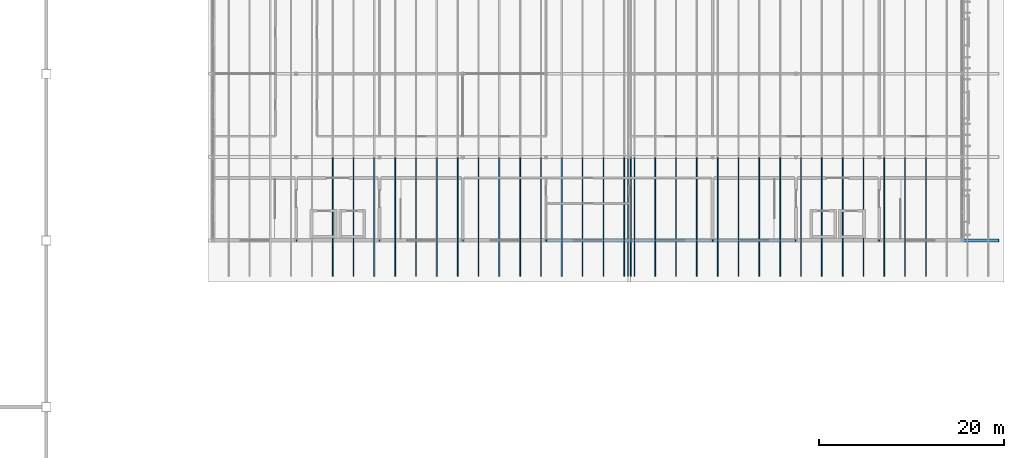
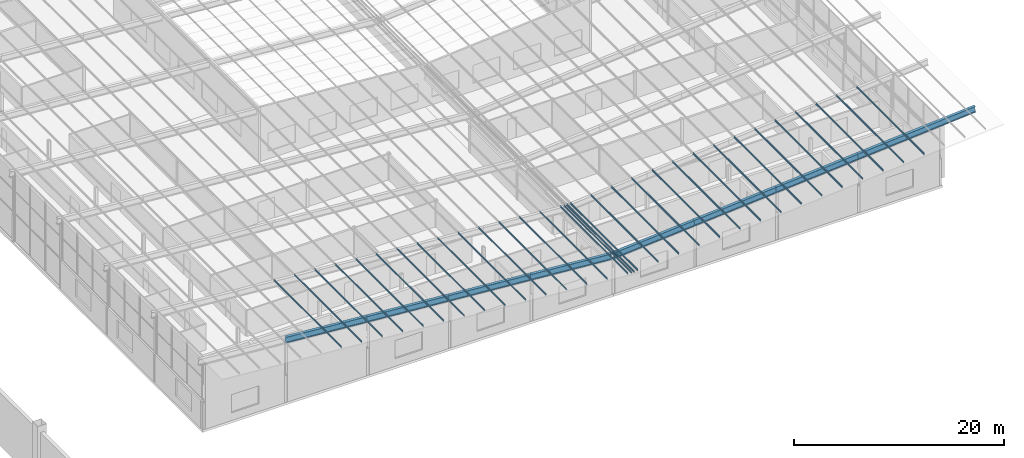
# One storey, part 23 of 85: 40 members.
"""IFC4 building model written with IfcOpenShell, lengths in metres."""

import ifcopenshell
import ifcopenshell.guid

model = None  # the IFC model being written
_history = None  # IfcOwnerHistory: only IFC2X3 demands one
_inside = {}  # id of a spatial element -> (the spatial element, [elements in it])
_under = {}  # id of a project, library or spatial element -> (it, [spatial elements below it])
_declared = {}  # id of a project -> (the project, [libraries it declares])
_typed = {}  # id of a type object -> (the type object, [elements of that type])
_made_of = {}  # id of a material, layer set ... -> (it, [elements and type objects made of it])


def new_model(schema):
    """Start an empty IFC model of exactly this schema.

    Asked for "IFC4X3", IfcOpenShell would pick the latest addendum, in which some entities
    have other attributes; the version numbers below select the first issue.
    IFC2X3 requires an IfcOwnerHistory on every rooted entity: one is made here for all.
    """
    global model, _history
    if schema == "IFC4X3":
        model = ifcopenshell.file(schema_version=(4, 3, 0, 0))
    else:
        model = ifcopenshell.file(schema=schema)
    _inside.clear()
    _under.clear()
    _declared.clear()
    _typed.clear()
    _made_of.clear()
    _history = None
    if model.schema == "IFC2X3":
        org = make("IfcOrganization", Name="unknown")
        user = make(
            "IfcPersonAndOrganization",
            ThePerson=make("IfcPerson", FamilyName="unknown"),
            TheOrganization=org,
        )
        app = make(
            "IfcApplication",
            ApplicationDeveloper=org,
            Version="unknown",
            ApplicationFullName="unknown",
            ApplicationIdentifier="unknown",
        )
        _history = make(
            "IfcOwnerHistory",
            OwningUser=user,
            OwningApplication=app,
            ChangeAction="ADDED",
            CreationDate=0,
        )
    return model


def make(cls, **values):
    """One entity of the class cls with the attributes given. An attribute that is None is left unset."""
    return model.create_entity(
        cls, **{name: value for name, value in values.items() if value is not None}
    )


def rooted(cls, **values):
    """An entity with a GlobalId (a new one), such as an element, a storey or a relation."""
    return make(cls, GlobalId=ifcopenshell.guid.new(), OwnerHistory=_history, **values)


def si_unit(unit_type, name, prefix=None):
    """IfcSIUnit, for example si_unit("LENGTHUNIT", "METRE", prefix="MILLI")."""
    return make("IfcSIUnit", UnitType=unit_type, Prefix=prefix, Name=name)


def assignment(units):
    """IfcUnitAssignment: the units of a project."""
    return None if units is None else make("IfcUnitAssignment", Units=units)


def point(xyz):
    """IfcCartesianPoint."""
    return None if xyz is None else make("IfcCartesianPoint", Coordinates=xyz)


def direction(xyz):
    """IfcDirection."""
    return None if xyz is None else make("IfcDirection", DirectionRatios=xyz)


def frame(location, z_axis=None, x_axis=None):
    """IfcAxis2Placement3D, a coordinate frame: its origin and axes. An axis left out is left unset."""
    return make(
        "IfcAxis2Placement3D",
        Location=point(location),
        Axis=direction(z_axis),
        RefDirection=direction(x_axis),
    )


def frame_2d(location, x_axis=None):
    """IfcAxis2Placement2D, a coordinate frame in the plane: its origin and x axis."""
    return make(
        "IfcAxis2Placement2D", Location=point(location), RefDirection=direction(x_axis)
    )


def origin():
    """The frame at (0, 0, 0) with its axes left unset."""
    return frame((0.0, 0.0, 0.0))


def origin_2d():
    """The frame at (0, 0) in the plane with its x axis left unset."""
    return frame_2d((0.0, 0.0))


def place(relative_to, where):
    """IfcLocalPlacement: puts the frame where relative to a parent placement (None: the world)."""
    return make(
        "IfcLocalPlacement", PlacementRelTo=relative_to, RelativePlacement=where
    )


def context(
    kind, dimensions, precision=None, world=None, true_north=None, identifier=None
):
    """IfcGeometricRepresentationContext, for example the 3D "Model" context."""
    return make(
        "IfcGeometricRepresentationContext",
        ContextIdentifier=identifier,
        ContextType=kind,
        CoordinateSpaceDimension=dimensions,
        Precision=precision,
        WorldCoordinateSystem=world,
        TrueNorth=true_north,
    )


def subcontext(parent, identifier, kind, view, scale=None):
    """IfcGeometricRepresentationSubContext, for example "Body" below "Model"."""
    return make(
        "IfcGeometricRepresentationSubContext",
        ContextIdentifier=identifier,
        ContextType=kind,
        ParentContext=parent,
        TargetScale=scale,
        TargetView=view,
    )


def project(units=None, contexts=None):
    """IfcProject with its units and contexts."""
    return rooted(
        "IfcProject",
        Name="project",
        RepresentationContexts=contexts,
        UnitsInContext=assignment(units),
    )


def spatial(cls, under=None, at=None, **own):
    """A site, building, storey or space (cls), placed at a placement, below another one or the project."""
    s = rooted(cls, ObjectPlacement=at, **own)
    if under is not None:
        _under.setdefault(under.id(), (under, []))[1].append(s)
    return s


def polyline(points):
    """IfcPolyline through the points."""
    return make("IfcPolyline", Points=[point(p) for p in points])


def profile(cls, at=None, kind="AREA", **sizes):
    """A parametric profile (cls). Its sizes go by their IFC names, for example OverallWidth=200.0."""
    return make(cls, ProfileType=kind, Position=at, **sizes)


def i_section(**sizes):
    """IfcIShapeProfileDef."""
    return profile("IfcIShapeProfileDef", **sizes)


def outline(outer, holes=None, kind="AREA"):
    """IfcArbitraryClosedProfileDef: a profile drawn as a closed curve; with holes, ...WithVoids."""
    if holes is None:
        return make("IfcArbitraryClosedProfileDef", ProfileType=kind, OuterCurve=outer)
    return make(
        "IfcArbitraryProfileDefWithVoids",
        ProfileType=kind,
        OuterCurve=outer,
        InnerCurves=holes,
    )


def extrude(swept, where, along, depth):
    """IfcExtrudedAreaSolid: the profile swept, set in the frame where, extruded along a direction by depth."""
    return make(
        "IfcExtrudedAreaSolid",
        SweptArea=swept,
        Position=where,
        ExtrudedDirection=direction(along),
        Depth=depth,
    )


def shape(context_of_items, identifier, shape_type, items):
    """IfcShapeRepresentation: the items that make up one representation, for example the "Body"."""
    return make(
        "IfcShapeRepresentation",
        ContextOfItems=context_of_items,
        RepresentationIdentifier=identifier,
        RepresentationType=shape_type,
        Items=items,
    )


def material(Name=None, Category=None):
    """IfcMaterial."""
    return make("IfcMaterial", Name=Name, Category=Category)


def material_profile(
    of_material, cross_section, Name=None, Category=None, Priority=None
):
    """IfcMaterialProfile: a cross section and its material."""
    return make(
        "IfcMaterialProfile",
        Name=Name,
        Material=of_material,
        Profile=cross_section,
        Priority=Priority,
        Category=Category,
    )


def profile_set(profiles, Name=None, composite=None):
    """IfcMaterialProfileSet."""
    return make(
        "IfcMaterialProfileSet",
        Name=Name,
        MaterialProfiles=profiles,
        CompositeProfile=composite,
    )


def made_of(thing, what):
    """Note that an element or type object is made of a material, layer set ...; save() writes the relation."""
    if what is not None:
        _made_of.setdefault(what.id(), (what, []))[1].append(thing)
    return thing


def type_object(cls, material=None, **own):
    """A type object (cls), such as IfcWallType, which elements share."""
    return made_of(rooted(cls, **own), material)


def element(
    cls,
    number,
    at=None,
    inside=None,
    cuts=None,
    type_object=None,
    material=None,
    context=None,
    identifier="Body",
    shape_type=None,
    held_by="IfcProductDefinitionShape",
    body=None,
    shapes=None,
    **own,
):
    """One element of the class cls, such as IfcWall. Its Tag is "e" and its number.

    at: its placement. inside: the storey or other place that contains it. cuts: it is an
    opening in that element (IfcRelVoidsElement). A single representation is given by context,
    identifier, shape_type and body (its items); several are given by shapes. held_by: the class
    of the entity that holds the representations. save() writes the other relations.
    """
    e = rooted(cls, Tag="e%d" % number, ObjectPlacement=at, **own)
    if body is not None:
        shapes = [shape(context, identifier, shape_type, body)]
    if shapes is not None:
        e.Representation = make(held_by, Representations=shapes)
    if inside is not None:
        _inside.setdefault(inside.id(), (inside, []))[1].append(e)
    if cuts is not None:
        rooted(
            "IfcRelVoidsElement", RelatingBuildingElement=cuts, RelatedOpeningElement=e
        )
    if type_object is not None:
        _typed.setdefault(type_object.id(), (type_object, []))[1].append(e)
    return made_of(e, material)


def aggregate(whole, parts):
    """IfcRelAggregates: a whole, such as a stair, and the parts it consists of."""
    return rooted("IfcRelAggregates", RelatingObject=whole, RelatedObjects=parts)


def save(model, path):
    """Write the relations noted so far, then the file.

    IfcRelAggregates (storeys below a building ...), IfcRelContainedInSpatialStructure (elements
    in a storey), IfcRelDefinesByType, IfcRelAssociatesMaterial and IfcRelDeclares: one each for
    every whole, place, type object, material and project.
    """
    for whole, parts in _under.values():
        aggregate(whole, parts)
    for where, things in _inside.values():
        rooted(
            "IfcRelContainedInSpatialStructure",
            RelatedElements=things,
            RelatingStructure=where,
        )
    for kind, things in _typed.values():
        rooted("IfcRelDefinesByType", RelatedObjects=things, RelatingType=kind)
    for what, things in _made_of.values():
        rooted("IfcRelAssociatesMaterial", RelatedObjects=things, RelatingMaterial=what)
    for by, libraries in _declared.values():
        rooted("IfcRelDeclares", RelatingContext=by, RelatedDefinitions=libraries)
    model.write(path)


model = new_model("IFC4")

# Units and contexts
model_context = context("Model", 3, precision=1e-05, world=origin(), true_north=direction((0.0, 1.0)))
body_context = subcontext(model_context, "Body", "Model", "MODEL_VIEW")
ifc_project = project(units=[si_unit("LENGTHUNIT", "METRE"), si_unit("AREAUNIT", "SQUARE_METRE"), si_unit("VOLUMEUNIT", "CUBIC_METRE"), si_unit("PLANEANGLEUNIT", "RADIAN"), si_unit("MASSUNIT", "GRAM", prefix="KILO")], contexts=[model_context])

# Site, building, storey
site_placement = place(None, origin())
site = spatial("IfcSite", under=ifc_project, at=site_placement, CompositionType="ELEMENT")
building_placement = place(site_placement, origin())
building = spatial("IfcBuilding", under=site, at=building_placement, Name="Opaline Strait Convention Centre", CompositionType="ELEMENT")
storey_placement = place(building_placement, frame((0.0, 0.0, 17.0)))
storey = spatial("IfcBuildingStorey", under=building, at=storey_placement, Name="L03", CompositionType="ELEMENT", Elevation=17.0)

# Members
ifc_material = material(Name="Steel Q355B", Category="steel")
ifc_material_profile_1 = material_profile(ifc_material, outline(polyline([(-0.034912109375, -0.10009765625), (0.034912109375, -0.10009765625), (0.034912109375, -0.080078125), (0.032470703125, -0.080078125), (0.032470703125, -0.097412109375), (-0.032470703125, -0.097412109375), (-0.032470703125, 0.097412109375), (0.032470703125, 0.097412109375), (0.032470703125, 0.080078125), (0.034912109375, 0.080078125), (0.034912109375, 0.10009765625), (-0.034912109375, 0.10009765625), (-0.034912109375, -0.10009765625)])), Name="C 200x70x20x2.5")
ifc_profile_set_1 = profile_set([ifc_material_profile_1], Name="Steel Q355B")
member_type_1 = type_object("IfcMemberType", Name="Roof purlin C 200x70x20x2.5", PredefinedType="PURLIN", material=ifc_profile_set_1)
for number, where, z_axis, x_axis, name in (
    (1, (323.85009765625, 86.10009765625, 4.814208984375), (0.0, 1.0, 0.0), (-0.996917333733, 0.0, -0.078459095728), "MRP1 purlin W wing 1"),
    (2, (323.449951171875, 86.10009765625, 4.845703125), (0.0, 1.0, 0.0), (-0.996917333733, 0.0, -0.078459095728), "MRP1 purlin W wing 11"),
    (3, (321.199951171875, 86.10009765625, 5.02294921875), (0.0, 1.0, 0.0), (-0.996917333733, 0.0, -0.078459095728), "MRP1 purlin W wing 21"),
    (4, (318.949951171875, 86.10009765625, 5.199951171875), (0.0, 1.0, 0.0), (-0.996917333733, 0.0, -0.078459095728), "MRP1 purlin W wing 31"),
    (5, (316.699951171875, 86.10009765625, 5.376953125), (0.0, 1.0, 0.0), (-0.996917333733, 0.0, -0.078459095728), "MRP1 purlin W wing 41"),
    (6, (314.449951171875, 86.10009765625, 5.553955078125), (0.0, 1.0, 0.0), (-0.996917333733, 0.0, -0.078459095728), "MRP1 purlin W wing 51"),
    (7, (312.199951171875, 86.10009765625, 5.731201171875), (0.0, 1.0, 0.0), (-0.996917333733, 0.0, -0.078459095728), "MRP1 purlin W wing 61"),
    (8, (309.949951171875, 86.10009765625, 5.908203125), (0.0, 1.0, 0.0), (-0.996917333733, 0.0, -0.078459095728), "MRP1 purlin W wing 71"),
    (9, (307.699951171875, 86.10009765625, 6.085205078125), (0.0, 1.0, 0.0), (-0.996917333733, 0.0, -0.078459095728), "MRP1 purlin W wing 81"),
    (10, (305.449951171875, 86.10009765625, 6.262451171875), (0.0, 1.0, 0.0), (-0.996917333733, 0.0, -0.078459095728), "MRP1 purlin W wing 91"),
    (11, (303.199951171875, 86.10009765625, 6.439453125), (0.0, 1.0, 0.0), (-0.996917333733, 0.0, -0.078459095728), "MRP1 purlin W wing 101"),
    (12, (300.949951171875, 86.10009765625, 6.616455078125), (0.0, 1.0, 0.0), (-0.996917333733, 0.0, -0.078459095728), "MRP1 purlin W wing 111"),
    (13, (298.699951171875, 86.10009765625, 6.793701171875), (0.0, 1.0, 0.0), (-0.996917333733, 0.0, -0.078459095728), "MRP1 purlin W wing 121"),
    (14, (296.449951171875, 86.10009765625, 6.970703125), (0.0, 1.0, 0.0), (-0.996917333733, 0.0, -0.078459095728), "MRP1 purlin W wing 131"),
    (15, (294.199951171875, 86.10009765625, 7.147705078125), (0.0, 1.0, 0.0), (-0.996917333733, 0.0, -0.078459095728), "MRP1 purlin W wing 141"),
    (16, (291.949951171875, 86.10009765625, 7.324951171875), (0.0, 1.0, 0.0), (-0.996917333733, 0.0, -0.078459095728), "MRP1 purlin W wing 151"),
    (17, (324.14990234375, 86.10009765625, 4.814208984375), (0.0, 1.0, 0.0), (-0.996917333733, 0.0, 0.078459095728), "MRP1 purlin E wing 211"),
    (18, (324.550048828125, 86.10009765625, 4.845703125), (0.0, 1.0, 0.0), (-0.996917333733, 0.0, 0.078459095728), "MRP1 purlin E wing 221"),
    (19, (326.800048828125, 86.10009765625, 5.02294921875), (0.0, 1.0, 0.0), (-0.996917333733, 0.0, 0.078459095728), "MRP1 purlin E wing 231"),
    (20, (329.050048828125, 86.10009765625, 5.199951171875), (0.0, 1.0, 0.0), (-0.996917333733, 0.0, 0.078459095728), "MRP1 purlin E wing 241"),
    (21, (331.300048828125, 86.10009765625, 5.376953125), (0.0, 1.0, 0.0), (-0.996917333733, 0.0, 0.078459095728), "MRP1 purlin E wing 251"),
    (22, (333.550048828125, 86.10009765625, 5.553955078125), (0.0, 1.0, 0.0), (-0.996917333733, 0.0, 0.078459095728), "MRP1 purlin E wing 261"),
    (23, (335.800048828125, 86.10009765625, 5.731201171875), (0.0, 1.0, 0.0), (-0.996917333733, 0.0, 0.078459095728), "MRP1 purlin E wing 271"),
    (24, (338.050048828125, 86.10009765625, 5.908203125), (0.0, 1.0, 0.0), (-0.996917333733, 0.0, 0.078459095728), "MRP1 purlin E wing 281"),
    (25, (340.300048828125, 86.10009765625, 6.085205078125), (0.0, 1.0, 0.0), (-0.996917333733, 0.0, 0.078459095728), "MRP1 purlin E wing 291"),
    (26, (342.550048828125, 86.10009765625, 6.262451171875), (0.0, 1.0, 0.0), (-0.996917333733, 0.0, 0.078459095728), "MRP1 purlin E wing 301"),
    (27, (344.800048828125, 86.10009765625, 6.439453125), (0.0, 1.0, 0.0), (-0.996917333733, 0.0, 0.078459095728), "MRP1 purlin E wing 311"),
    (28, (347.050048828125, 86.10009765625, 6.616455078125), (0.0, 1.0, 0.0), (-0.996917333733, 0.0, 0.078459095728), "MRP1 purlin E wing 321"),
    (29, (349.300048828125, 86.10009765625, 6.793701171875), (0.0, 1.0, 0.0), (-0.996917333733, 0.0, 0.078459095728), "MRP1 purlin E wing 331"),
    (30, (351.550048828125, 86.10009765625, 6.970703125), (0.0, 1.0, 0.0), (-0.996917333733, 0.0, 0.078459095728), "MRP1 purlin E wing 341"),
    (31, (353.800048828125, 86.10009765625, 7.147705078125), (0.0, 1.0, 0.0), (-0.996917333733, 0.0, 0.078459095728), "MRP1 purlin E wing 351"),
    (32, (356.050048828125, 86.10009765625, 7.324951171875), (0.0, 1.0, 0.0), (-0.996917333733, 0.0, 0.078459095728), "MRP1 purlin E wing 361"),
):
    element("IfcMember", number, at=place(storey_placement, frame(where, z_axis=z_axis, x_axis=x_axis)), inside=storey, type_object=member_type_1, Name=name, PredefinedType="PURLIN", context=body_context, shape_type="SweptSolid", body=[
        extrude(outline(polyline([(-0.034912109375, -0.10009765625), (0.034912109375, -0.10009765625), (0.034912109375, -0.080078125), (0.032470703125, -0.080078125), (0.032470703125, -0.097412109375), (-0.032470703125, -0.097412109375), (-0.032470703125, 0.097412109375), (0.032470703125, 0.097412109375), (0.032470703125, 0.080078125), (0.034912109375, 0.080078125), (0.034912109375, 0.10009765625), (-0.034912109375, 0.10009765625), (-0.034912109375, -0.10009765625)])), origin(), (0.0, 0.0, 1.0), 12.89990234375),
    ])
ifc_material_profile_2 = material_profile(ifc_material, i_section(OverallWidth=0.300048828125, OverallDepth=0.699951171875, WebThickness=0.012939453125, FlangeThickness=0.02392578125, FilletRadius=0.01806640625, at=origin_2d()), Name="HN 700x300x13x24")
ifc_profile_set_2 = profile_set([ifc_material_profile_2], Name="Steel Q355B")
member_type_2 = type_object("IfcMemberType", Name="Roof rafter HN 700x300x13x24", PredefinedType="RAFTER", material=ifc_profile_set_2)
for number, where, z_axis, x_axis, name in (
    (33, (288.0, 90.0, 7.184326171875), (0.996917883079, 0.0, -0.078452115311), (0.0, 1.0, 0.0), "MRR1 rafter y 90"),
    (34, (297.0, 90.0, 6.47607421875), (0.996917883079, 0.0, -0.078452115311), (0.0, 1.0, 0.0), "MRR1 rafter y 90"),
    (35, (306.0, 90.0, 5.767822265625), (0.99691576767, 0.0, -0.07847899191), (0.0, 1.0, 0.0), "MRR1 rafter y 90"),
):
    element("IfcMember", number, at=place(storey_placement, frame(where, z_axis=z_axis, x_axis=x_axis)), inside=storey, type_object=member_type_2, Name=name, PredefinedType="RAFTER", context=body_context, shape_type="SweptSolid", body=[
        extrude(i_section(OverallWidth=0.300048828125, OverallDepth=0.699951171875, WebThickness=0.012939453125, FlangeThickness=0.02392578125, FilletRadius=0.01806640625, at=origin_2d()), origin(), (0.0, 0.0, 1.0), 9.02783203125),
    ])
for number, where, z_axis, x_axis, name in (
    (36, (315.0, 90.0, 5.059326171875), (0.996917316665, 0.0, -0.0784593126), (0.0, 1.0, 0.0), "MRR1 rafter y 90"),
    (37, (324.10009765625, 90.0, 4.35888671875), (0.996917316665, 0.0, 0.0784593126), (0.0, 1.0, 0.0), "MRR1 rafter y 90"),
):
    element("IfcMember", number, at=place(storey_placement, frame(where, z_axis=z_axis, x_axis=x_axis)), inside=storey, type_object=member_type_2, Name=name, PredefinedType="RAFTER", context=body_context, shape_type="SweptSolid", body=[
        extrude(i_section(OverallWidth=0.300048828125, OverallDepth=0.699951171875, WebThickness=0.012939453125, FlangeThickness=0.02392578125, FilletRadius=0.01806640625, at=origin_2d()), origin(), (0.0, 0.0, 1.0), 8.927490234375),
    ])
for number, where, z_axis, x_axis, name in (
    (38, (333.0, 90.0, 5.059326171875), (0.99691576767, 0.0, 0.07847899191), (0.0, 1.0, 0.0), "MRR1 rafter y 90"),
    (39, (342.0, 90.0, 5.767822265625), (0.996917883079, 0.0, 0.078452115311), (0.0, 1.0, 0.0), "MRR1 rafter y 90"),
):
    element("IfcMember", number, at=place(storey_placement, frame(where, z_axis=z_axis, x_axis=x_axis)), inside=storey, type_object=member_type_2, Name=name, PredefinedType="RAFTER", context=body_context, shape_type="SweptSolid", body=[
        extrude(i_section(OverallWidth=0.300048828125, OverallDepth=0.699951171875, WebThickness=0.012939453125, FlangeThickness=0.02392578125, FilletRadius=0.01806640625, at=origin_2d()), origin(), (0.0, 0.0, 1.0), 9.02783203125),
    ])
member_placement = place(storey_placement, frame((351.0, 90.0, 6.47607421875), z_axis=(0.996917984192, 0.0, 0.07845083043), x_axis=(0.0, 1.0, 0.0)))
element("IfcMember", 40, at=member_placement, inside=storey, type_object=member_type_2, Name="MRR1 rafter y 90", PredefinedType="RAFTER", context=body_context, shape_type="SweptSolid", body=[
    extrude(i_section(OverallWidth=0.300048828125, OverallDepth=0.699951171875, WebThickness=0.012939453125, FlangeThickness=0.02392578125, FilletRadius=0.01806640625, at=origin_2d()), origin(), (0.0, 0.0, 1.0), 12.939697265625),
])

save(model, "model.ifc")
